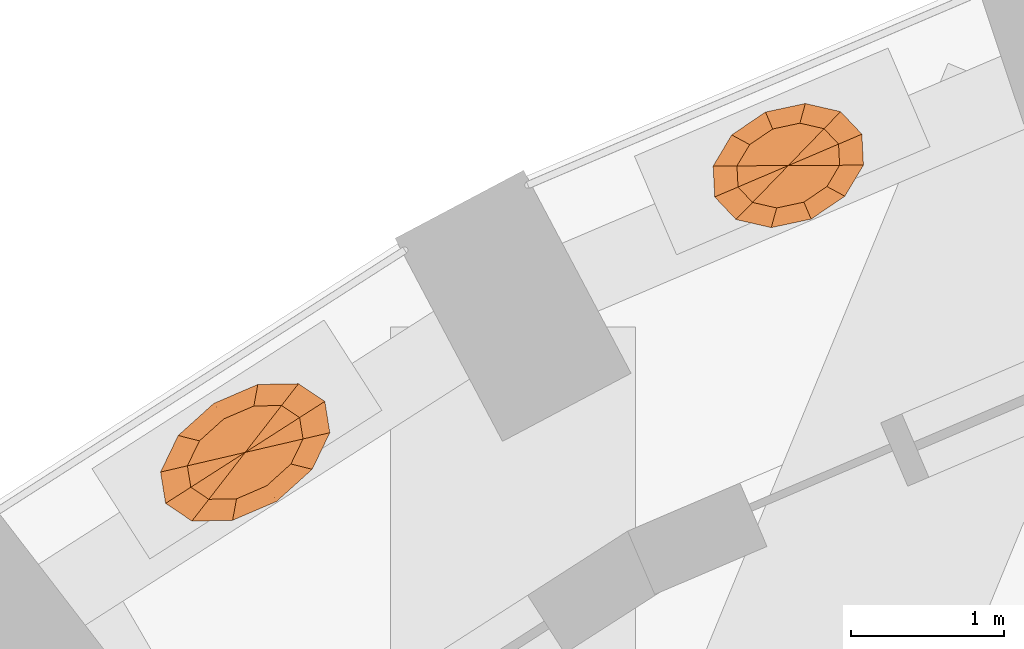
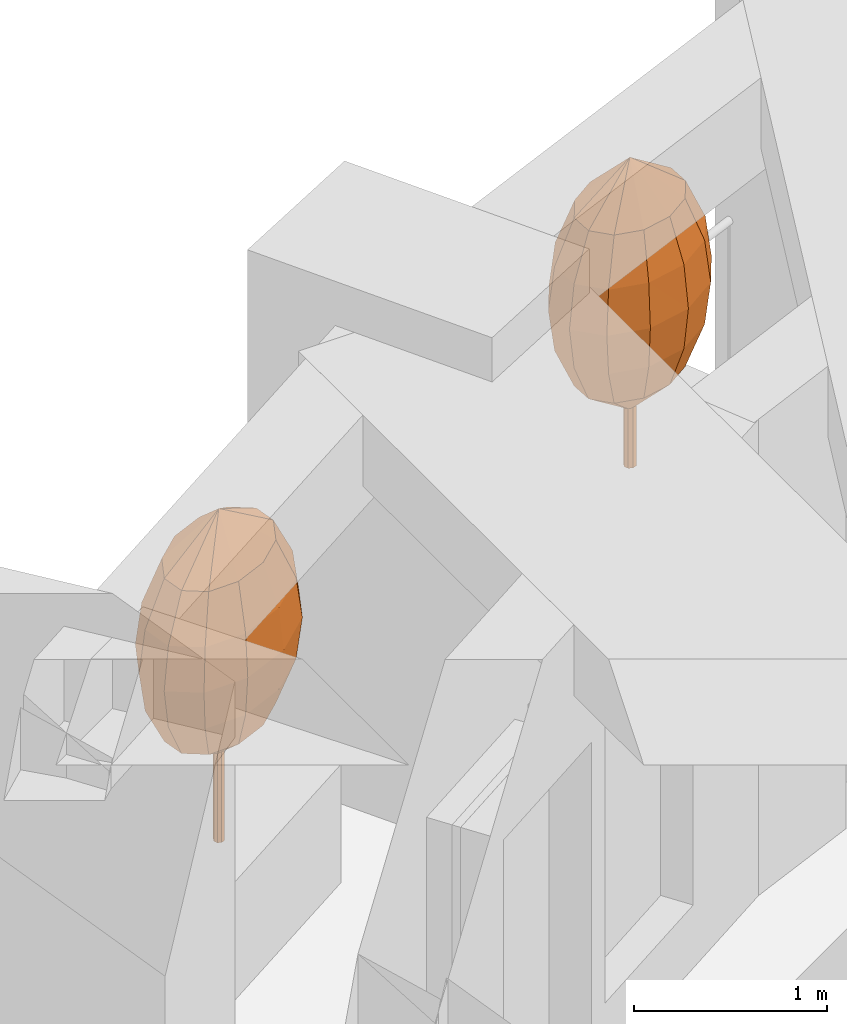
# One storey, part 12 of 12: 2 geographic elements.
"""IFC4 building model written with IfcOpenShell, lengths in metres."""

import ifcopenshell
import ifcopenshell.guid

model = None  # the IFC model being written
_history = None  # IfcOwnerHistory: only IFC2X3 demands one
_inside = {}  # id of a spatial element -> (the spatial element, [elements in it])
_under = {}  # id of a project, library or spatial element -> (it, [spatial elements below it])
_declared = {}  # id of a project -> (the project, [libraries it declares])
_typed = {}  # id of a type object -> (the type object, [elements of that type])
_made_of = {}  # id of a material, layer set ... -> (it, [elements and type objects made of it])


def new_model(schema):
    """Start an empty IFC model of exactly this schema.

    Asked for "IFC4X3", IfcOpenShell would pick the latest addendum, in which some entities
    have other attributes; the version numbers below select the first issue.
    IFC2X3 requires an IfcOwnerHistory on every rooted entity: one is made here for all.
    """
    global model, _history
    if schema == "IFC4X3":
        model = ifcopenshell.file(schema_version=(4, 3, 0, 0))
    else:
        model = ifcopenshell.file(schema=schema)
    _inside.clear()
    _under.clear()
    _declared.clear()
    _typed.clear()
    _made_of.clear()
    _history = None
    if model.schema == "IFC2X3":
        org = make("IfcOrganization", Name="unknown")
        user = make(
            "IfcPersonAndOrganization",
            ThePerson=make("IfcPerson", FamilyName="unknown"),
            TheOrganization=org,
        )
        app = make(
            "IfcApplication",
            ApplicationDeveloper=org,
            Version="unknown",
            ApplicationFullName="unknown",
            ApplicationIdentifier="unknown",
        )
        _history = make(
            "IfcOwnerHistory",
            OwningUser=user,
            OwningApplication=app,
            ChangeAction="ADDED",
            CreationDate=0,
        )
    return model


def make(cls, **values):
    """One entity of the class cls with the attributes given. An attribute that is None is left unset."""
    return model.create_entity(
        cls, **{name: value for name, value in values.items() if value is not None}
    )


def rooted(cls, **values):
    """An entity with a GlobalId (a new one), such as an element, a storey or a relation."""
    return make(cls, GlobalId=ifcopenshell.guid.new(), OwnerHistory=_history, **values)


def si_unit(unit_type, name, prefix=None):
    """IfcSIUnit, for example si_unit("LENGTHUNIT", "METRE", prefix="MILLI")."""
    return make("IfcSIUnit", UnitType=unit_type, Prefix=prefix, Name=name)


def assignment(units):
    """IfcUnitAssignment: the units of a project."""
    return None if units is None else make("IfcUnitAssignment", Units=units)


def point(xyz):
    """IfcCartesianPoint."""
    return None if xyz is None else make("IfcCartesianPoint", Coordinates=xyz)


def direction(xyz):
    """IfcDirection."""
    return None if xyz is None else make("IfcDirection", DirectionRatios=xyz)


def frame(location, z_axis=None, x_axis=None):
    """IfcAxis2Placement3D, a coordinate frame: its origin and axes. An axis left out is left unset."""
    return make(
        "IfcAxis2Placement3D",
        Location=point(location),
        Axis=direction(z_axis),
        RefDirection=direction(x_axis),
    )


def origin():
    """The frame at (0, 0, 0) with its axes left unset."""
    return frame((0.0, 0.0, 0.0))


def place(relative_to, where):
    """IfcLocalPlacement: puts the frame where relative to a parent placement (None: the world)."""
    return make(
        "IfcLocalPlacement", PlacementRelTo=relative_to, RelativePlacement=where
    )


def context(
    kind, dimensions, precision=None, world=None, true_north=None, identifier=None
):
    """IfcGeometricRepresentationContext, for example the 3D "Model" context."""
    return make(
        "IfcGeometricRepresentationContext",
        ContextIdentifier=identifier,
        ContextType=kind,
        CoordinateSpaceDimension=dimensions,
        Precision=precision,
        WorldCoordinateSystem=world,
        TrueNorth=true_north,
    )


def subcontext(parent, identifier, kind, view, scale=None):
    """IfcGeometricRepresentationSubContext, for example "Body" below "Model"."""
    return make(
        "IfcGeometricRepresentationSubContext",
        ContextIdentifier=identifier,
        ContextType=kind,
        ParentContext=parent,
        TargetScale=scale,
        TargetView=view,
    )


def project(units=None, contexts=None):
    """IfcProject with its units and contexts."""
    return rooted(
        "IfcProject",
        Name="project",
        RepresentationContexts=contexts,
        UnitsInContext=assignment(units),
    )


def spatial(cls, under=None, at=None, **own):
    """A site, building, storey or space (cls), placed at a placement, below another one or the project."""
    s = rooted(cls, ObjectPlacement=at, **own)
    if under is not None:
        _under.setdefault(under.id(), (under, []))[1].append(s)
    return s


def faces_of(points, faces, orient=None, outer=None):
    """IfcFace entities. A face is a list of loops; a loop is a list of indices into points, from 0.

    orient and outer hold one flag for each loop. By default every Orientation is true, the
    first loop of a face is its IfcFaceOuterBound and the others are IfcFaceBound.
    """
    made = []
    for i, loops in enumerate(faces):
        bounds = []
        for j, loop in enumerate(loops):
            is_outer = j == 0 if outer is None else outer[i][j]
            bounds.append(
                make(
                    "IfcFaceOuterBound" if is_outer else "IfcFaceBound",
                    Bound=make("IfcPolyLoop", Polygon=[points[k] for k in loop]),
                    Orientation=True if orient is None else orient[i][j],
                )
            )
        made.append(make("IfcFace", Bounds=bounds))
    return made


def faceted_brep(points, faces, orient=None, outer=None, voids=None):
    """IfcFacetedBrep: a solid bounded by flat faces; with voids (closed shells), ...WithVoids."""
    shared = [point(p) for p in points]
    hull = make("IfcClosedShell", CfsFaces=faces_of(shared, faces, orient, outer))
    if voids is None:
        return make("IfcFacetedBrep", Outer=hull)
    return make(
        "IfcFacetedBrepWithVoids",
        Outer=hull,
        Voids=[
            make(cls, CfsFaces=faces_of(shared, fs, o, b)) for cls, fs, o, b in voids
        ],
    )


def shape(context_of_items, identifier, shape_type, items):
    """IfcShapeRepresentation: the items that make up one representation, for example the "Body"."""
    return make(
        "IfcShapeRepresentation",
        ContextOfItems=context_of_items,
        RepresentationIdentifier=identifier,
        RepresentationType=shape_type,
        Items=items,
    )


def material(Name=None, Category=None):
    """IfcMaterial."""
    return make("IfcMaterial", Name=Name, Category=Category)


def constituent(of_material, Name=None, Category=None, fraction=None):
    """IfcMaterialConstituent: one of the materials an element consists of."""
    return make(
        "IfcMaterialConstituent",
        Name=Name,
        Material=of_material,
        Fraction=fraction,
        Category=Category,
    )


def constituent_set(constituents=None, Name=None):
    """IfcMaterialConstituentSet."""
    return make(
        "IfcMaterialConstituentSet", Name=Name, MaterialConstituents=constituents
    )


def made_of(thing, what):
    """Note that an element or type object is made of a material, layer set ...; save() writes the relation."""
    if what is not None:
        _made_of.setdefault(what.id(), (what, []))[1].append(thing)
    return thing


def type_object(cls, material=None, **own):
    """A type object (cls), such as IfcWallType, which elements share."""
    return made_of(rooted(cls, **own), material)


def element(
    cls,
    number,
    at=None,
    inside=None,
    cuts=None,
    type_object=None,
    material=None,
    context=None,
    identifier="Body",
    shape_type=None,
    held_by="IfcProductDefinitionShape",
    body=None,
    shapes=None,
    **own,
):
    """One element of the class cls, such as IfcWall. Its Tag is "e" and its number.

    at: its placement. inside: the storey or other place that contains it. cuts: it is an
    opening in that element (IfcRelVoidsElement). A single representation is given by context,
    identifier, shape_type and body (its items); several are given by shapes. held_by: the class
    of the entity that holds the representations. save() writes the other relations.
    """
    e = rooted(cls, Tag="e%d" % number, ObjectPlacement=at, **own)
    if body is not None:
        shapes = [shape(context, identifier, shape_type, body)]
    if shapes is not None:
        e.Representation = make(held_by, Representations=shapes)
    if inside is not None:
        _inside.setdefault(inside.id(), (inside, []))[1].append(e)
    if cuts is not None:
        rooted(
            "IfcRelVoidsElement", RelatingBuildingElement=cuts, RelatedOpeningElement=e
        )
    if type_object is not None:
        _typed.setdefault(type_object.id(), (type_object, []))[1].append(e)
    return made_of(e, material)


def aggregate(whole, parts):
    """IfcRelAggregates: a whole, such as a stair, and the parts it consists of."""
    return rooted("IfcRelAggregates", RelatingObject=whole, RelatedObjects=parts)


def save(model, path):
    """Write the relations noted so far, then the file.

    IfcRelAggregates (storeys below a building ...), IfcRelContainedInSpatialStructure (elements
    in a storey), IfcRelDefinesByType, IfcRelAssociatesMaterial and IfcRelDeclares: one each for
    every whole, place, type object, material and project.
    """
    for whole, parts in _under.values():
        aggregate(whole, parts)
    for where, things in _inside.values():
        rooted(
            "IfcRelContainedInSpatialStructure",
            RelatedElements=things,
            RelatingStructure=where,
        )
    for kind, things in _typed.values():
        rooted("IfcRelDefinesByType", RelatedObjects=things, RelatingType=kind)
    for what, things in _made_of.values():
        rooted("IfcRelAssociatesMaterial", RelatedObjects=things, RelatingMaterial=what)
    for by, libraries in _declared.values():
        rooted("IfcRelDeclares", RelatingContext=by, RelatedDefinitions=libraries)
    model.write(path)


model = new_model("IFC4")

# Units and contexts
model_context = context("Model", 3, precision=1e-05, world=origin(), true_north=direction((0.0, 1.0)))
body_context = subcontext(model_context, "Body", "Model", "MODEL_VIEW")
ifc_project = project(units=[si_unit("LENGTHUNIT", "METRE"), si_unit("AREAUNIT", "SQUARE_METRE"), si_unit("VOLUMEUNIT", "CUBIC_METRE"), si_unit("PLANEANGLEUNIT", "RADIAN"), si_unit("MASSUNIT", "GRAM", prefix="KILO")], contexts=[model_context])

# Site, building, storey
site_placement = place(None, origin())
site = spatial("IfcSite", under=ifc_project, at=site_placement, CompositionType="ELEMENT")
building_placement = place(site_placement, origin())
building = spatial("IfcBuilding", under=site, at=building_placement, Name="Taillehof Tower", CompositionType="ELEMENT")
storey_placement = place(building_placement, frame((0.0, 0.0, 168.199951171875)))
storey = spatial("IfcBuildingStorey", under=building, at=storey_placement, Name="L47", CompositionType="ELEMENT", Elevation=168.199951171875)

# Geographic elements
ifc_material_1 = material(Name="Tree bark", Category="timber")
ifc_constituent_1 = constituent(ifc_material_1, Name="Trunk", Category="timber")
ifc_material_2 = material(Name="Tree foliage")
ifc_constituent_2 = constituent(ifc_material_2, Name="Crown")
ifc_constituent_set_1 = constituent_set(constituents=[ifc_constituent_1, ifc_constituent_2], Name="Tree TR1 Columnar hornbeam")
geographic_element_type_1 = type_object("IfcGeographicElementType", Name="Tree TR1 Columnar hornbeam", PredefinedType="USERDEFINED", material=ifc_constituent_set_1)
geographic_element_1_placement = place(storey_placement, frame((-13.374267578125, 17.718994140625, 0.75)))
element("IfcGeographicElement", 1, at=geographic_element_1_placement, inside=storey, type_object=geographic_element_type_1, Name="Tree TR1 Columnar hornbeam", ObjectType="TREE", PredefinedType="USERDEFINED", context=body_context, shape_type="Brep", body=[
    faceted_brep([(0.030029296875, 0.0, 0.0), (0.021240234375, 0.021240234375, 0.0), (0.021240234375, 0.021240234375, 1.092529296875), (0.030029296875, 0.0, 1.092529296875), (0.0, 0.030029296875, 0.0), (0.0, 0.030029296875, 1.092529296875), (-0.021240234375, 0.021240234375, 0.0), (-0.021240234375, 0.021240234375, 1.092529296875), (-0.030029296875, 0.0, 0.0), (-0.030029296875, 0.0, 1.092529296875), (-0.021240234375, -0.021240234375, 0.0), (-0.021240234375, -0.021240234375, 1.092529296875), (0.0, -0.030029296875, 0.0), (0.0, -0.030029296875, 1.092529296875), (0.021240234375, -0.021240234375, 0.0), (0.021240234375, -0.021240234375, 1.092529296875)], [[[0, 1, 2, 3]], [[1, 4, 5, 2]], [[4, 6, 7, 5]], [[6, 8, 9, 7]], [[8, 10, 11, 9]], [[10, 12, 13, 11]], [[12, 14, 15, 13]], [[14, 0, 3, 15]], [[14, 12, 10, 8, 6, 4, 1, 0]], [[3, 2, 5, 7, 9, 11, 13, 15]]]),
    faceted_brep([(0.0, 0.0, 0.550048828125), (-0.237548828125, -0.306396484375, 0.808349609375), (-0.355224609375, -0.2275390625, 0.808349609375), (-0.056396484375, -0.302978515625, 0.808349609375), (0.139892578125, -0.218505859375, 0.808349609375), (0.298828125, -0.075439453125, 0.808349609375), (0.377685546875, 0.087646484375, 0.808349609375), (0.355224609375, 0.2275390625, 0.808349609375), (0.237548828125, 0.306396484375, 0.808349609375), (0.056396484375, 0.302978515625, 0.808349609375), (-0.139892578125, 0.218505859375, 0.808349609375), (-0.298828125, 0.075439453125, 0.808349609375), (-0.377685546875, -0.087646484375, 0.808349609375), (-0.3212890625, -0.414306640625, 1.066650390625), (-0.48046875, -0.3076171875, 1.066650390625), (-0.076171875, -0.409912109375, 1.066650390625), (0.189453125, -0.295654296875, 1.066650390625), (0.404296875, -0.10205078125, 1.066650390625), (0.5107421875, 0.11865234375, 1.066650390625), (0.48046875, 0.3076171875, 1.066650390625), (0.3212890625, 0.414306640625, 1.066650390625), (0.076171875, 0.409912109375, 1.066650390625), (-0.189453125, 0.295654296875, 1.066650390625), (-0.404296875, 0.10205078125, 1.066650390625), (-0.5107421875, -0.11865234375, 1.066650390625), (-0.347900390625, -0.448486328125, 1.324951171875), (-0.52001953125, -0.3330078125, 1.324951171875), (-0.08251953125, -0.443603515625, 1.324951171875), (0.205078125, -0.320068359375, 1.324951171875), (0.4375, -0.110595703125, 1.324951171875), (0.552734375, 0.12841796875, 1.324951171875), (0.52001953125, 0.3330078125, 1.324951171875), (0.347900390625, 0.448486328125, 1.324951171875), (0.08251953125, 0.443603515625, 1.324951171875), (-0.205078125, 0.320068359375, 1.324951171875), (-0.4375, 0.110595703125, 1.324951171875), (-0.552734375, -0.12841796875, 1.324951171875), (-0.3212890625, -0.414306640625, 1.583251953125), (-0.48046875, -0.3076171875, 1.583251953125), (-0.076171875, -0.409912109375, 1.583251953125), (0.189453125, -0.295654296875, 1.583251953125), (0.404296875, -0.10205078125, 1.583251953125), (0.5107421875, 0.11865234375, 1.583251953125), (0.48046875, 0.3076171875, 1.583251953125), (0.3212890625, 0.414306640625, 1.583251953125), (0.076171875, 0.409912109375, 1.583251953125), (-0.189453125, 0.295654296875, 1.583251953125), (-0.404296875, 0.10205078125, 1.583251953125), (-0.5107421875, -0.11865234375, 1.583251953125), (-0.237548828125, -0.306396484375, 1.841552734375), (-0.355224609375, -0.2275390625, 1.841552734375), (-0.056396484375, -0.302978515625, 1.841552734375), (0.139892578125, -0.218505859375, 1.841552734375), (0.298828125, -0.075439453125, 1.841552734375), (0.377685546875, 0.087646484375, 1.841552734375), (0.355224609375, 0.2275390625, 1.841552734375), (0.237548828125, 0.306396484375, 1.841552734375), (0.056396484375, 0.302978515625, 1.841552734375), (-0.139892578125, 0.218505859375, 1.841552734375), (-0.298828125, 0.075439453125, 1.841552734375), (-0.377685546875, -0.087646484375, 1.841552734375), (0.0, 0.0, 2.10009765625)], [[[0, 1, 2]], [[0, 3, 1]], [[0, 4, 3]], [[0, 5, 4]], [[0, 6, 5]], [[0, 7, 6]], [[0, 8, 7]], [[0, 9, 8]], [[0, 10, 9]], [[0, 11, 10]], [[0, 12, 11]], [[0, 2, 12]], [[2, 1, 13, 14]], [[1, 3, 15, 13]], [[3, 4, 16, 15]], [[4, 5, 17, 16]], [[5, 6, 18, 17]], [[6, 7, 19, 18]], [[7, 8, 20, 19]], [[8, 9, 21, 20]], [[9, 10, 22, 21]], [[10, 11, 23, 22]], [[11, 12, 24, 23]], [[12, 2, 14, 24]], [[14, 13, 25, 26]], [[13, 15, 27, 25]], [[15, 16, 28, 27]], [[16, 17, 29, 28]], [[17, 18, 30, 29]], [[18, 19, 31, 30]], [[19, 20, 32, 31]], [[20, 21, 33, 32]], [[21, 22, 34, 33]], [[22, 23, 35, 34]], [[23, 24, 36, 35]], [[24, 14, 26, 36]], [[26, 25, 37, 38]], [[25, 27, 39, 37]], [[27, 28, 40, 39]], [[28, 29, 41, 40]], [[29, 30, 42, 41]], [[30, 31, 43, 42]], [[31, 32, 44, 43]], [[32, 33, 45, 44]], [[33, 34, 46, 45]], [[34, 35, 47, 46]], [[35, 36, 48, 47]], [[36, 26, 38, 48]], [[38, 37, 49, 50]], [[37, 39, 51, 49]], [[39, 40, 52, 51]], [[40, 41, 53, 52]], [[41, 42, 54, 53]], [[42, 43, 55, 54]], [[43, 44, 56, 55]], [[44, 45, 57, 56]], [[45, 46, 58, 57]], [[46, 47, 59, 58]], [[47, 48, 60, 59]], [[48, 38, 50, 60]], [[50, 49, 61]], [[49, 51, 61]], [[51, 52, 61]], [[52, 53, 61]], [[53, 54, 61]], [[54, 55, 61]], [[55, 56, 61]], [[56, 57, 61]], [[57, 58, 61]], [[58, 59, 61]], [[59, 60, 61]], [[60, 50, 61]]]),
])
ifc_material_3 = material(Name="Tree bark", Category="timber")
ifc_constituent_3 = constituent(ifc_material_3, Name="Trunk", Category="timber")
ifc_material_4 = material(Name="Tree foliage")
ifc_constituent_4 = constituent(ifc_material_4, Name="Crown")
ifc_constituent_set_2 = constituent_set(constituents=[ifc_constituent_3, ifc_constituent_4], Name="Tree TR2 Fastigiate yew")
geographic_element_type_2 = type_object("IfcGeographicElementType", Name="Tree TR2 Fastigiate yew", PredefinedType="USERDEFINED", material=ifc_constituent_set_2)
geographic_element_2_placement = place(storey_placement, frame((-9.827392578125, 19.59228515625, 0.75)))
element("IfcGeographicElement", 2, at=geographic_element_2_placement, inside=storey, type_object=geographic_element_type_2, Name="Tree TR2 Fastigiate yew", ObjectType="TREE", PredefinedType="USERDEFINED", context=body_context, shape_type="Brep", body=[
    faceted_brep([(0.034912109375, 0.0, 0.0), (0.024658203125, 0.024658203125, 0.0), (0.024658203125, 0.024658203125, 0.909912109375), (0.034912109375, 0.0, 0.909912109375), (0.0, 0.034912109375, 0.0), (0.0, 0.034912109375, 0.909912109375), (-0.024658203125, 0.024658203125, 0.0), (-0.024658203125, 0.024658203125, 0.909912109375), (-0.034912109375, 0.0, 0.0), (-0.034912109375, 0.0, 0.909912109375), (-0.024658203125, -0.024658203125, 0.0), (-0.024658203125, -0.024658203125, 0.909912109375), (0.0, -0.034912109375, 0.0), (0.0, -0.034912109375, 0.909912109375), (0.024658203125, -0.024658203125, 0.0), (0.024658203125, -0.024658203125, 0.909912109375)], [[[0, 1, 2, 3]], [[1, 4, 5, 2]], [[4, 6, 7, 5]], [[6, 8, 9, 7]], [[8, 10, 11, 9]], [[10, 12, 13, 11]], [[12, 14, 15, 13]], [[14, 0, 3, 15]], [[14, 12, 10, 8, 6, 4, 1, 0]], [[3, 2, 5, 7, 9, 11, 13, 15]]]),
    faceted_brep([(0.0, 0.0, 0.35009765625), (-0.2333984375, -0.24072265625, 0.61669921875), (-0.328369140625, -0.14013671875, 0.61669921875), (-0.075927734375, -0.27685546875, 0.61669921875), (0.101806640625, -0.23876953125, 0.61669921875), (0.25244140625, -0.13671875, 0.61669921875), (0.335205078125, 0.001953125, 0.61669921875), (0.328369140625, 0.14013671875, 0.61669921875), (0.2333984375, 0.24072265625, 0.61669921875), (0.075927734375, 0.27685546875, 0.61669921875), (-0.101806640625, 0.23876953125, 0.61669921875), (-0.25244140625, 0.13671875, 0.61669921875), (-0.335205078125, -0.001953125, 0.61669921875), (-0.315673828125, -0.325439453125, 0.88330078125), (-0.444091796875, -0.189453125, 0.88330078125), (-0.102783203125, -0.374267578125, 0.88330078125), (0.1376953125, -0.322998046875, 0.88330078125), (0.34130859375, -0.18505859375, 0.88330078125), (0.453369140625, 0.002685546875, 0.88330078125), (0.444091796875, 0.189453125, 0.88330078125), (0.315673828125, 0.325439453125, 0.88330078125), (0.102783203125, 0.374267578125, 0.88330078125), (-0.1376953125, 0.322998046875, 0.88330078125), (-0.34130859375, 0.18505859375, 0.88330078125), (-0.453369140625, -0.002685546875, 0.88330078125), (-0.341552734375, -0.352294921875, 1.14990234375), (-0.480712890625, -0.205078125, 1.14990234375), (-0.111083984375, -0.4052734375, 1.14990234375), (0.149169921875, -0.349609375, 1.14990234375), (0.369384765625, -0.2001953125, 1.14990234375), (0.49072265625, 0.002685546875, 1.14990234375), (0.480712890625, 0.205078125, 1.14990234375), (0.341552734375, 0.352294921875, 1.14990234375), (0.111083984375, 0.4052734375, 1.14990234375), (-0.149169921875, 0.349609375, 1.14990234375), (-0.369384765625, 0.2001953125, 1.14990234375), (-0.49072265625, -0.002685546875, 1.14990234375), (-0.315673828125, -0.325439453125, 1.416748046875), (-0.444091796875, -0.189453125, 1.416748046875), (-0.102783203125, -0.374267578125, 1.416748046875), (0.1376953125, -0.322998046875, 1.416748046875), (0.34130859375, -0.18505859375, 1.416748046875), (0.453369140625, 0.002685546875, 1.416748046875), (0.444091796875, 0.189453125, 1.416748046875), (0.315673828125, 0.325439453125, 1.416748046875), (0.102783203125, 0.374267578125, 1.416748046875), (-0.1376953125, 0.322998046875, 1.416748046875), (-0.34130859375, 0.18505859375, 1.416748046875), (-0.453369140625, -0.002685546875, 1.416748046875), (-0.2333984375, -0.24072265625, 1.683349609375), (-0.328369140625, -0.14013671875, 1.683349609375), (-0.075927734375, -0.27685546875, 1.683349609375), (0.101806640625, -0.23876953125, 1.683349609375), (0.25244140625, -0.13671875, 1.683349609375), (0.335205078125, 0.001953125, 1.683349609375), (0.328369140625, 0.14013671875, 1.683349609375), (0.2333984375, 0.24072265625, 1.683349609375), (0.075927734375, 0.27685546875, 1.683349609375), (-0.101806640625, 0.23876953125, 1.683349609375), (-0.25244140625, 0.13671875, 1.683349609375), (-0.335205078125, -0.001953125, 1.683349609375), (0.0, 0.0, 1.949951171875)], [[[0, 1, 2]], [[0, 3, 1]], [[0, 4, 3]], [[0, 5, 4]], [[0, 6, 5]], [[0, 7, 6]], [[0, 8, 7]], [[0, 9, 8]], [[0, 10, 9]], [[0, 11, 10]], [[0, 12, 11]], [[0, 2, 12]], [[2, 1, 13, 14]], [[1, 3, 15, 13]], [[3, 4, 16, 15]], [[4, 5, 17, 16]], [[5, 6, 18, 17]], [[6, 7, 19, 18]], [[7, 8, 20, 19]], [[8, 9, 21, 20]], [[9, 10, 22, 21]], [[10, 11, 23, 22]], [[11, 12, 24, 23]], [[12, 2, 14, 24]], [[14, 13, 25, 26]], [[13, 15, 27, 25]], [[15, 16, 28, 27]], [[16, 17, 29, 28]], [[17, 18, 30, 29]], [[18, 19, 31, 30]], [[19, 20, 32, 31]], [[20, 21, 33, 32]], [[21, 22, 34, 33]], [[22, 23, 35, 34]], [[23, 24, 36, 35]], [[24, 14, 26, 36]], [[26, 25, 37, 38]], [[25, 27, 39, 37]], [[27, 28, 40, 39]], [[28, 29, 41, 40]], [[29, 30, 42, 41]], [[30, 31, 43, 42]], [[31, 32, 44, 43]], [[32, 33, 45, 44]], [[33, 34, 46, 45]], [[34, 35, 47, 46]], [[35, 36, 48, 47]], [[36, 26, 38, 48]], [[38, 37, 49, 50]], [[37, 39, 51, 49]], [[39, 40, 52, 51]], [[40, 41, 53, 52]], [[41, 42, 54, 53]], [[42, 43, 55, 54]], [[43, 44, 56, 55]], [[44, 45, 57, 56]], [[45, 46, 58, 57]], [[46, 47, 59, 58]], [[47, 48, 60, 59]], [[48, 38, 50, 60]], [[50, 49, 61]], [[49, 51, 61]], [[51, 52, 61]], [[52, 53, 61]], [[53, 54, 61]], [[54, 55, 61]], [[55, 56, 61]], [[56, 57, 61]], [[57, 58, 61]], [[58, 59, 61]], [[59, 60, 61]], [[60, 50, 61]]]),
])

save(model, "model.ifc")
